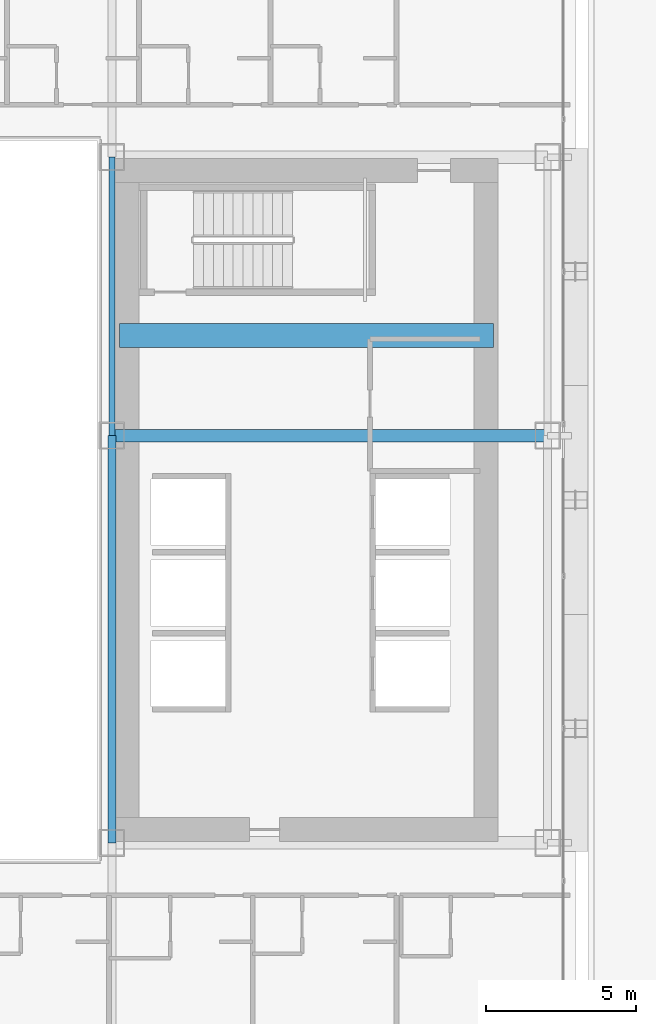
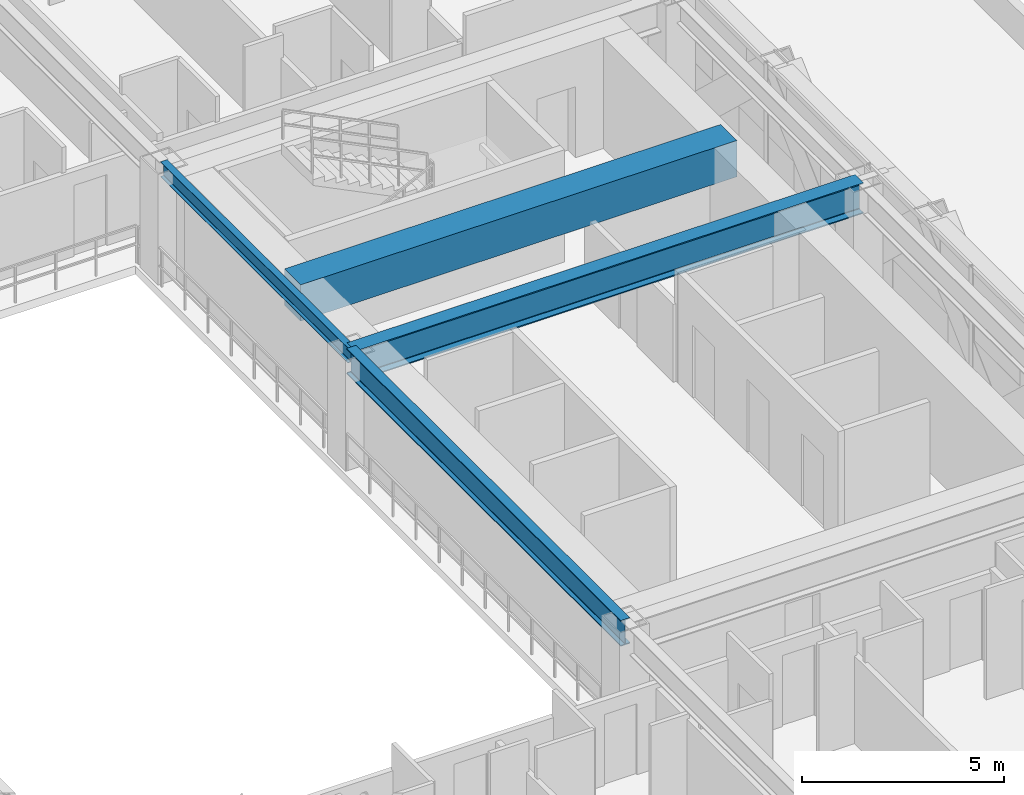
# One storey, part 12 of 35: 4 beams.
"""IFC4 building model written with IfcOpenShell, lengths in metres."""

from ifc_helpers import new_model, si_unit, direction, frame, origin, origin_2d, place, context, subcontext, project, spatial, rectangle, i_section, extrude, source, transform, mapped, material, material_profile, profile_set, type_object, element, save


model = new_model("IFC4")

# Units and contexts
model_context = context("Model", 3, precision=1e-05, world=origin(), true_north=direction((0.0, 1.0)))
body_context = subcontext(model_context, "Body", "Model", "MODEL_VIEW")
ifc_project = project(units=[si_unit("LENGTHUNIT", "METRE"), si_unit("AREAUNIT", "SQUARE_METRE"), si_unit("VOLUMEUNIT", "CUBIC_METRE"), si_unit("PLANEANGLEUNIT", "RADIAN"), si_unit("MASSUNIT", "GRAM", prefix="KILO")], contexts=[model_context])

# Site, building, storey
site_placement = place(None, origin())
site = spatial("IfcSite", under=ifc_project, at=site_placement, CompositionType="ELEMENT")
building_placement = place(site_placement, origin())
building = spatial("IfcBuilding", under=site, at=building_placement, Name="Ocotamira Hotel", CompositionType="ELEMENT")
storey_placement = place(building_placement, frame((0.0, 0.0, 34.800048828125)))
storey = spatial("IfcBuildingStorey", under=building, at=storey_placement, Name="L07", CompositionType="ELEMENT", Elevation=34.800048828125)

# Beams
ifc_material_1 = material(Name="Concrete C60/75", Category="concrete")
ifc_material_profile_1 = material_profile(ifc_material_1, rectangle(XDim=0.800048828125, YDim=1.10009765625, at=origin_2d()), Name="RC800X1100")
ifc_profile_set_1 = profile_set([ifc_material_profile_1], Name="Concrete C60/75")
beam_type_1 = type_object("IfcBeamType", Name="BM-LINK-RC800", PredefinedType="LINTEL", material=ifc_profile_set_1)
shared_shape_1 = source(origin(), body_context, "Body", "SweptSolid", [
    extrude(rectangle(XDim=0.800048828125, YDim=1.10009765625, at=origin_2d()), origin(), (0.0, 0.0, 1.0), 12.5),
])
beam_1_placement = place(storey_placement, frame((40.75, 31.5, 2.800048828125), z_axis=(1.0, 0.0, 0.0), x_axis=(0.0, 1.0, 0.0)))
element("IfcBeam", 1, at=beam_1_placement, inside=storey, type_object=beam_type_1, Name="L07 East Core Coupling Beam", PredefinedType="LINTEL", context=body_context, shape_type="MappedRepresentation", body=[
    mapped(shared_shape_1, transform((0.0, 0.0, 0.0), scale=1.0)),
])
ifc_material_2 = material(Name="Steel ASTM A992 Grade 50", Category="steel")
ifc_material_profile_2 = material_profile(ifc_material_2, i_section(OverallWidth=0.41796875, OverallDepth=0.927001953125, WebThickness=0.019287109375, FlangeThickness=0.031982421875, FilletRadius=0.02392578125, at=origin_2d()), Name="W36X231")
ifc_profile_set_2 = profile_set([ifc_material_profile_2], Name="Steel ASTM A992 Grade 50")
beam_type_2 = type_object("IfcBeamType", Name="BM-GIRD-W36X231", PredefinedType="BEAM", material=ifc_profile_set_2)
shared_shape_2 = source(origin(), body_context, "Body", "SweptSolid", [
    extrude(i_section(OverallWidth=0.41796875, OverallDepth=0.927001953125, WebThickness=0.019287109375, FlangeThickness=0.031982421875, FilletRadius=0.02392578125, at=origin_2d()), origin(), (0.0, 0.0, 1.0), 14.550048828125),
])
beam_2_placement = place(storey_placement, frame((40.5, 28.14990234375, 2.886474609375), z_axis=(1.0, 0.0, 0.0), x_axis=(0.0, 1.0, 0.0)))
element("IfcBeam", 2, at=beam_2_placement, inside=storey, type_object=beam_type_2, Name="L07 Girder Y28.15 X40.5-55.05", PredefinedType="BEAM", context=body_context, shape_type="MappedRepresentation", body=[
    mapped(shared_shape_2, transform((0.0, 0.0, 0.0), scale=1.0)),
])
ifc_material_profile_3 = material_profile(ifc_material_2, i_section(OverallWidth=0.26611328125, OverallDepth=0.779052734375, WebThickness=0.0166015625, FlangeThickness=0.030029296875, FilletRadius=0.01806640625, at=origin_2d()), Name="W30X148")
ifc_profile_set_3 = profile_set([ifc_material_profile_3], Name="Steel ASTM A992 Grade 50")
beam_type_3 = type_object("IfcBeamType", Name="BM-GIRD-W30X148", PredefinedType="BEAM", material=ifc_profile_set_3)
shared_shape_3 = source(origin(), body_context, "Body", "SweptSolid", [
    extrude(i_section(OverallWidth=0.26611328125, OverallDepth=0.779052734375, WebThickness=0.0166015625, FlangeThickness=0.030029296875, FilletRadius=0.01806640625, at=origin_2d()), origin(), (0.0, 0.0, 1.0), 13.599853515625),
])
beam_3_placement = place(storey_placement, frame((40.5, 14.550048828125, 2.96044921875), z_axis=(0.0, 1.0, 0.0), x_axis=(-1.0, 0.0, 0.0)))
element("IfcBeam", 3, at=beam_3_placement, inside=storey, type_object=beam_type_3, Name="L07 Beam X40.5 Y14.55-28.15", PredefinedType="BEAM", context=body_context, shape_type="MappedRepresentation", body=[
    mapped(shared_shape_3, transform((0.0, 0.0, 0.0), scale=1.0)),
])
ifc_material_profile_4 = material_profile(ifc_material_2, i_section(OverallWidth=0.18994140625, OverallDepth=0.45703125, WebThickness=0.009033203125, FlangeThickness=0.014404296875, FilletRadius=0.010009765625, at=origin_2d()), Name="W18X50")
ifc_profile_set_4 = profile_set([ifc_material_profile_4], Name="Steel ASTM A992 Grade 50")
beam_type_4 = type_object("IfcBeamType", Name="BM-SEC-W18X50", PredefinedType="JOIST", material=ifc_profile_set_4)
shared_shape_4 = source(origin(), body_context, "Body", "SweptSolid", [
    extrude(i_section(OverallWidth=0.18994140625, OverallDepth=0.45703125, WebThickness=0.009033203125, FlangeThickness=0.014404296875, FilletRadius=0.010009765625, at=origin_2d()), origin(), (0.0, 0.0, 1.0), 9.300048828125),
])
beam_4_placement = place(storey_placement, frame((40.5, 28.14990234375, 3.121337890625), z_axis=(0.0, 1.0, 0.0), x_axis=(-1.0, 0.0, 0.0)))
element("IfcBeam", 4, at=beam_4_placement, inside=storey, type_object=beam_type_4, Name="L07 Beam X40.5 Y28.15-37.45", PredefinedType="JOIST", context=body_context, shape_type="MappedRepresentation", body=[
    mapped(shared_shape_4, transform((0.0, 0.0, 0.0), scale=1.0)),
])

save(model, "model.ifc")
